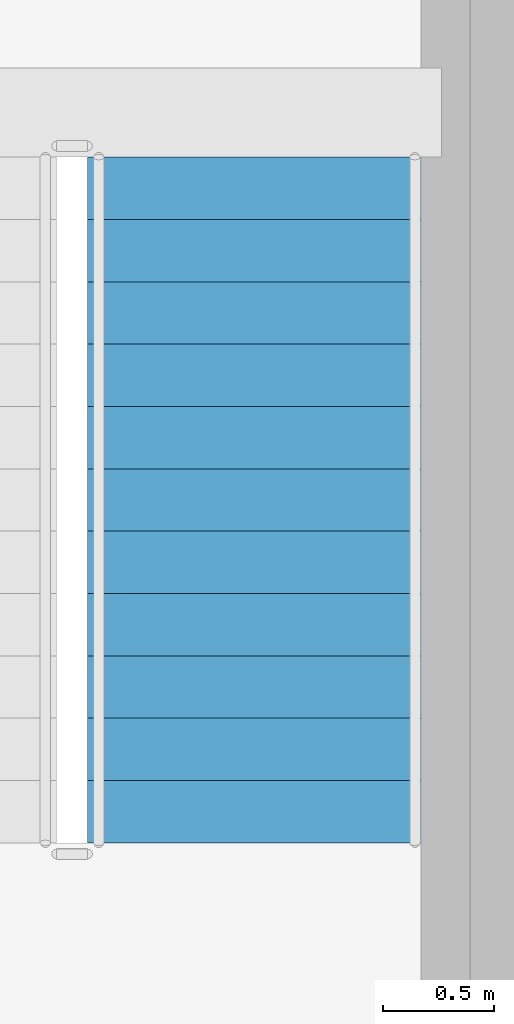
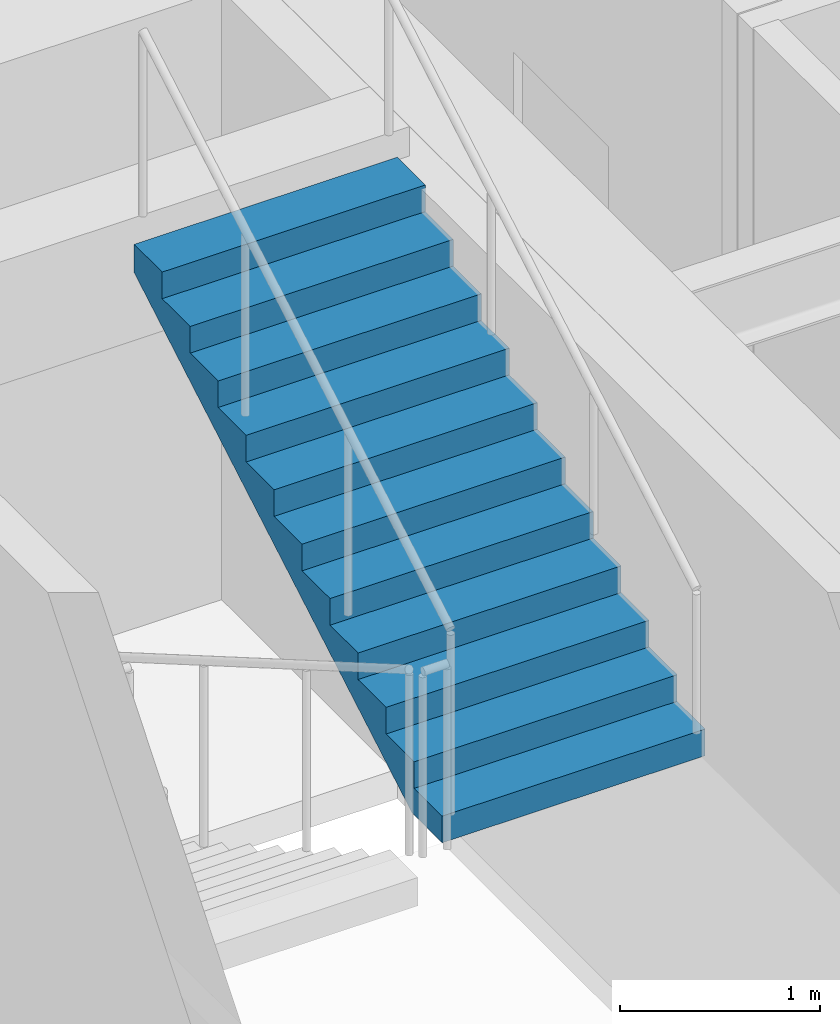
# One storey, part 8 of 9: 1 stair flight, 1 element without a shape of its own.
"""IFC4 building model written with IfcOpenShell, lengths in metres."""

import ifcopenshell
import ifcopenshell.guid

model = None  # the IFC model being written
_history = None  # IfcOwnerHistory: only IFC2X3 demands one
_inside = {}  # id of a spatial element -> (the spatial element, [elements in it])
_under = {}  # id of a project, library or spatial element -> (it, [spatial elements below it])
_declared = {}  # id of a project -> (the project, [libraries it declares])
_typed = {}  # id of a type object -> (the type object, [elements of that type])
_made_of = {}  # id of a material, layer set ... -> (it, [elements and type objects made of it])


def new_model(schema):
    """Start an empty IFC model of exactly this schema.

    Asked for "IFC4X3", IfcOpenShell would pick the latest addendum, in which some entities
    have other attributes; the version numbers below select the first issue.
    IFC2X3 requires an IfcOwnerHistory on every rooted entity: one is made here for all.
    """
    global model, _history
    if schema == "IFC4X3":
        model = ifcopenshell.file(schema_version=(4, 3, 0, 0))
    else:
        model = ifcopenshell.file(schema=schema)
    _inside.clear()
    _under.clear()
    _declared.clear()
    _typed.clear()
    _made_of.clear()
    _history = None
    if model.schema == "IFC2X3":
        org = make("IfcOrganization", Name="unknown")
        user = make(
            "IfcPersonAndOrganization",
            ThePerson=make("IfcPerson", FamilyName="unknown"),
            TheOrganization=org,
        )
        app = make(
            "IfcApplication",
            ApplicationDeveloper=org,
            Version="unknown",
            ApplicationFullName="unknown",
            ApplicationIdentifier="unknown",
        )
        _history = make(
            "IfcOwnerHistory",
            OwningUser=user,
            OwningApplication=app,
            ChangeAction="ADDED",
            CreationDate=0,
        )
    return model


def make(cls, **values):
    """One entity of the class cls with the attributes given. An attribute that is None is left unset."""
    return model.create_entity(
        cls, **{name: value for name, value in values.items() if value is not None}
    )


def rooted(cls, **values):
    """An entity with a GlobalId (a new one), such as an element, a storey or a relation."""
    return make(cls, GlobalId=ifcopenshell.guid.new(), OwnerHistory=_history, **values)


def si_unit(unit_type, name, prefix=None):
    """IfcSIUnit, for example si_unit("LENGTHUNIT", "METRE", prefix="MILLI")."""
    return make("IfcSIUnit", UnitType=unit_type, Prefix=prefix, Name=name)


def assignment(units):
    """IfcUnitAssignment: the units of a project."""
    return None if units is None else make("IfcUnitAssignment", Units=units)


def point(xyz):
    """IfcCartesianPoint."""
    return None if xyz is None else make("IfcCartesianPoint", Coordinates=xyz)


def direction(xyz):
    """IfcDirection."""
    return None if xyz is None else make("IfcDirection", DirectionRatios=xyz)


def frame(location, z_axis=None, x_axis=None):
    """IfcAxis2Placement3D, a coordinate frame: its origin and axes. An axis left out is left unset."""
    return make(
        "IfcAxis2Placement3D",
        Location=point(location),
        Axis=direction(z_axis),
        RefDirection=direction(x_axis),
    )


def origin():
    """The frame at (0, 0, 0) with its axes left unset."""
    return frame((0.0, 0.0, 0.0))


def place(relative_to, where):
    """IfcLocalPlacement: puts the frame where relative to a parent placement (None: the world)."""
    return make(
        "IfcLocalPlacement", PlacementRelTo=relative_to, RelativePlacement=where
    )


def context(
    kind, dimensions, precision=None, world=None, true_north=None, identifier=None
):
    """IfcGeometricRepresentationContext, for example the 3D "Model" context."""
    return make(
        "IfcGeometricRepresentationContext",
        ContextIdentifier=identifier,
        ContextType=kind,
        CoordinateSpaceDimension=dimensions,
        Precision=precision,
        WorldCoordinateSystem=world,
        TrueNorth=true_north,
    )


def subcontext(parent, identifier, kind, view, scale=None):
    """IfcGeometricRepresentationSubContext, for example "Body" below "Model"."""
    return make(
        "IfcGeometricRepresentationSubContext",
        ContextIdentifier=identifier,
        ContextType=kind,
        ParentContext=parent,
        TargetScale=scale,
        TargetView=view,
    )


def project(units=None, contexts=None):
    """IfcProject with its units and contexts."""
    return rooted(
        "IfcProject",
        Name="project",
        RepresentationContexts=contexts,
        UnitsInContext=assignment(units),
    )


def spatial(cls, under=None, at=None, **own):
    """A site, building, storey or space (cls), placed at a placement, below another one or the project."""
    s = rooted(cls, ObjectPlacement=at, **own)
    if under is not None:
        _under.setdefault(under.id(), (under, []))[1].append(s)
    return s


def polyline(points):
    """IfcPolyline through the points."""
    return make("IfcPolyline", Points=[point(p) for p in points])


def outline(outer, holes=None, kind="AREA"):
    """IfcArbitraryClosedProfileDef: a profile drawn as a closed curve; with holes, ...WithVoids."""
    if holes is None:
        return make("IfcArbitraryClosedProfileDef", ProfileType=kind, OuterCurve=outer)
    return make(
        "IfcArbitraryProfileDefWithVoids",
        ProfileType=kind,
        OuterCurve=outer,
        InnerCurves=holes,
    )


def extrude(swept, where, along, depth):
    """IfcExtrudedAreaSolid: the profile swept, set in the frame where, extruded along a direction by depth."""
    return make(
        "IfcExtrudedAreaSolid",
        SweptArea=swept,
        Position=where,
        ExtrudedDirection=direction(along),
        Depth=depth,
    )


def shape(context_of_items, identifier, shape_type, items):
    """IfcShapeRepresentation: the items that make up one representation, for example the "Body"."""
    return make(
        "IfcShapeRepresentation",
        ContextOfItems=context_of_items,
        RepresentationIdentifier=identifier,
        RepresentationType=shape_type,
        Items=items,
    )


def material(Name=None, Category=None):
    """IfcMaterial."""
    return make("IfcMaterial", Name=Name, Category=Category)


def made_of(thing, what):
    """Note that an element or type object is made of a material, layer set ...; save() writes the relation."""
    if what is not None:
        _made_of.setdefault(what.id(), (what, []))[1].append(thing)
    return thing


def type_object(cls, material=None, **own):
    """A type object (cls), such as IfcWallType, which elements share."""
    return made_of(rooted(cls, **own), material)


def element(
    cls,
    number,
    at=None,
    inside=None,
    cuts=None,
    type_object=None,
    material=None,
    context=None,
    identifier="Body",
    shape_type=None,
    held_by="IfcProductDefinitionShape",
    body=None,
    shapes=None,
    **own,
):
    """One element of the class cls, such as IfcWall. Its Tag is "e" and its number.

    at: its placement. inside: the storey or other place that contains it. cuts: it is an
    opening in that element (IfcRelVoidsElement). A single representation is given by context,
    identifier, shape_type and body (its items); several are given by shapes. held_by: the class
    of the entity that holds the representations. save() writes the other relations.
    """
    e = rooted(cls, Tag="e%d" % number, ObjectPlacement=at, **own)
    if body is not None:
        shapes = [shape(context, identifier, shape_type, body)]
    if shapes is not None:
        e.Representation = make(held_by, Representations=shapes)
    if inside is not None:
        _inside.setdefault(inside.id(), (inside, []))[1].append(e)
    if cuts is not None:
        rooted(
            "IfcRelVoidsElement", RelatingBuildingElement=cuts, RelatedOpeningElement=e
        )
    if type_object is not None:
        _typed.setdefault(type_object.id(), (type_object, []))[1].append(e)
    return made_of(e, material)


def aggregate(whole, parts):
    """IfcRelAggregates: a whole, such as a stair, and the parts it consists of."""
    return rooted("IfcRelAggregates", RelatingObject=whole, RelatedObjects=parts)


def save(model, path):
    """Write the relations noted so far, then the file.

    IfcRelAggregates (storeys below a building ...), IfcRelContainedInSpatialStructure (elements
    in a storey), IfcRelDefinesByType, IfcRelAssociatesMaterial and IfcRelDeclares: one each for
    every whole, place, type object, material and project.
    """
    for whole, parts in _under.values():
        aggregate(whole, parts)
    for where, things in _inside.values():
        rooted(
            "IfcRelContainedInSpatialStructure",
            RelatedElements=things,
            RelatingStructure=where,
        )
    for kind, things in _typed.values():
        rooted("IfcRelDefinesByType", RelatedObjects=things, RelatingType=kind)
    for what, things in _made_of.values():
        rooted("IfcRelAssociatesMaterial", RelatedObjects=things, RelatingMaterial=what)
    for by, libraries in _declared.values():
        rooted("IfcRelDeclares", RelatingContext=by, RelatedDefinitions=libraries)
    model.write(path)


model = new_model("IFC4")

# Units and contexts
model_context = context("Model", 3, precision=1e-05, world=origin(), true_north=direction((0.0, 1.0)))
body_context = subcontext(model_context, "Body", "Model", "MODEL_VIEW")
ifc_project = project(units=[si_unit("LENGTHUNIT", "METRE"), si_unit("AREAUNIT", "SQUARE_METRE"), si_unit("VOLUMEUNIT", "CUBIC_METRE"), si_unit("PLANEANGLEUNIT", "RADIAN"), si_unit("MASSUNIT", "GRAM", prefix="KILO")], contexts=[model_context])

# Site, building, storey
site_placement = place(None, origin())
site = spatial("IfcSite", under=ifc_project, at=site_placement, CompositionType="ELEMENT")
building_placement = place(site_placement, origin())
building = spatial("IfcBuilding", under=site, at=building_placement, Name="Haolan Belvedere Tower", CompositionType="ELEMENT")
storey_placement = place(building_placement, frame((0.0, 0.0, 290.0)))
storey = spatial("IfcBuildingStorey", under=building, at=storey_placement, Name="L73", CompositionType="ELEMENT", Elevation=290.0)

# Stair, stair flight
ifc_material = material(Name="Concrete C40/50", Category="concrete")
stair_type = type_object("IfcStairType", Name="STR-DL-24R-162", PredefinedType="HALF_TURN_STAIR", material=ifc_material)
stair_placement = place(storey_placement, origin())
stair = element("IfcStair", 1, at=stair_placement, inside=storey, type_object=stair_type, Name="L73 Smokeproof Core Exit Stair ST2", PredefinedType="HALF_TURN_STAIR")
stair_flight_type = type_object("IfcStairFlightType", Name="SFL-DL-12R-162", PredefinedType="STRAIGHT", material=ifc_material)
stair_flight_placement = place(storey_placement, frame((45.590087890625, 38.14990234375, 1.949951171875), z_axis=(0.0, 0.0, 1.0), x_axis=(0.0, 1.0, 0.0)))
stair_flight = element("IfcStairFlight", 2, at=stair_flight_placement, type_object=stair_flight_type, Name="ST2 flight 2", NumberOfRisers=12, NumberOfTreads=11, PredefinedType="STRAIGHT", RiserHeight=0.1625, TreadLength=0.28, context=body_context, shape_type="SweptSolid", body=[
    extrude(outline(polyline([(0.0, 0.0), (0.0, 0.16259765625), (0.280029296875, 0.16259765625), (0.280029296875, 0.324951171875), (0.56005859375, 0.324951171875), (0.56005859375, 0.487548828125), (0.840087890625, 0.487548828125), (0.840087890625, 0.64990234375), (1.1201171875, 0.64990234375), (1.1201171875, 0.8125), (1.39990234375, 0.8125), (1.39990234375, 0.97509765625), (1.679931640625, 0.97509765625), (1.679931640625, 1.137451171875), (1.9599609375, 1.137451171875), (1.9599609375, 1.300048828125), (2.239990234375, 1.300048828125), (2.239990234375, 1.46240234375), (2.52001953125, 1.46240234375), (2.52001953125, 1.625), (2.800048828125, 1.625), (2.800048828125, 1.78759765625), (3.080078125, 1.78759765625), (3.080078125, 1.949951171875), (3.080078125, 1.6142578125), (0.298583984375, 0.0), (0.0, 0.0)])), frame((0.0, 0.760009765625, 0.0), z_axis=(0.0, -1.0, 0.0), x_axis=(1.0, 0.0, 0.0)), (0.0, 0.0, 1.0), 1.52001953125),
])
aggregate(stair, [stair_flight])

save(model, "model.ifc")
